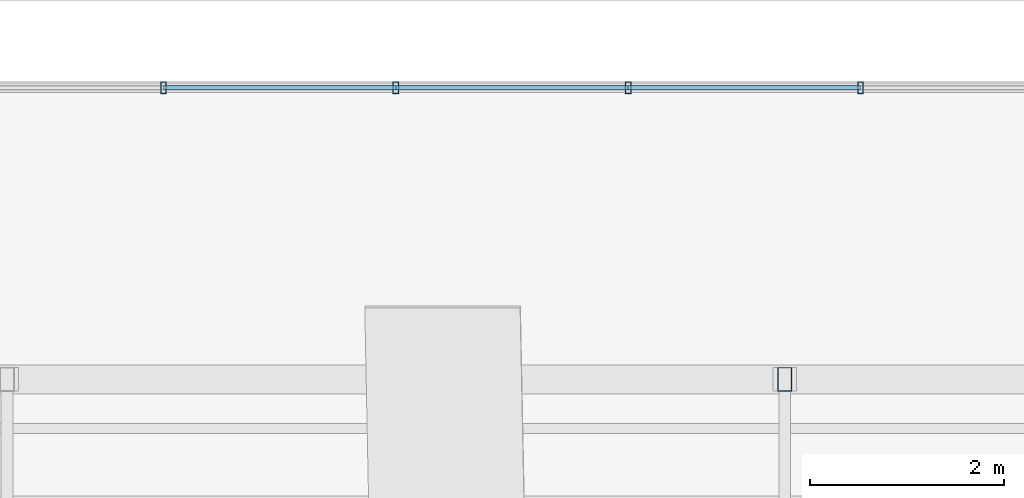
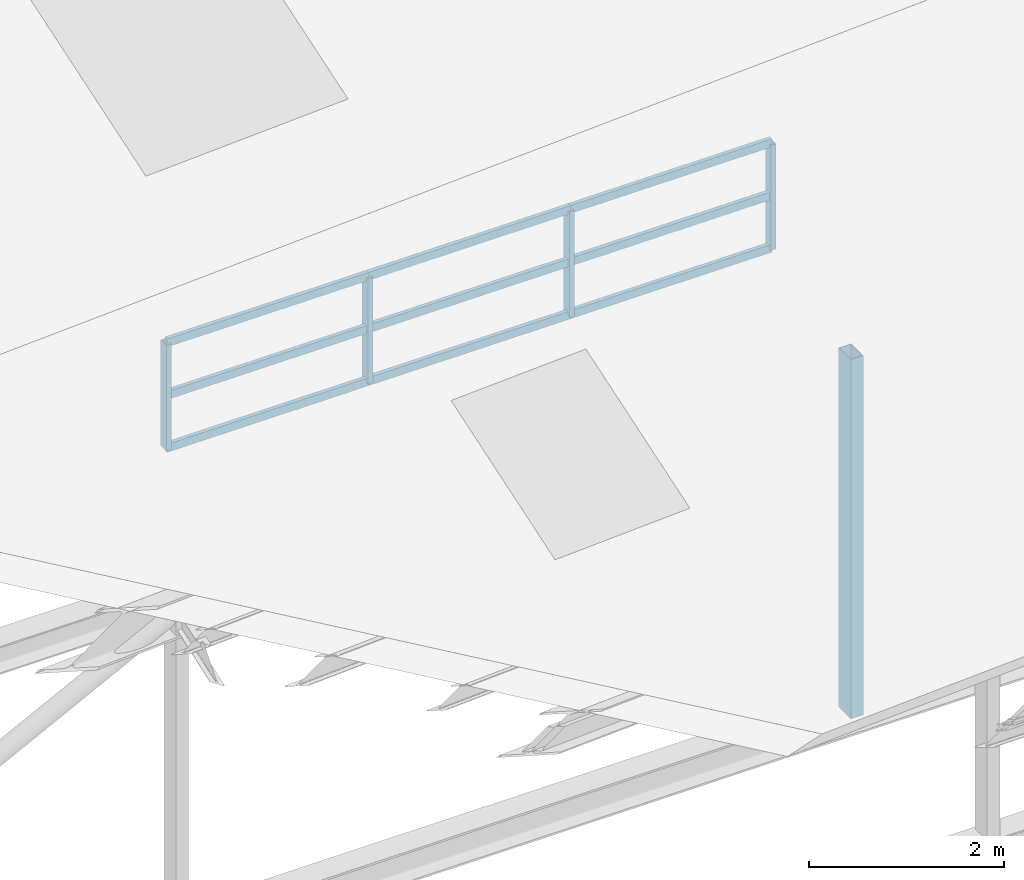
# One storey, part 41 of 141: 14 members, 1 element without a shape of its own.
"""IFC4 building model written with IfcOpenShell, lengths in metres."""

import ifcopenshell
import ifcopenshell.guid

model = None  # the IFC model being written
_history = None  # IfcOwnerHistory: only IFC2X3 demands one
_inside = {}  # id of a spatial element -> (the spatial element, [elements in it])
_under = {}  # id of a project, library or spatial element -> (it, [spatial elements below it])
_declared = {}  # id of a project -> (the project, [libraries it declares])
_typed = {}  # id of a type object -> (the type object, [elements of that type])
_made_of = {}  # id of a material, layer set ... -> (it, [elements and type objects made of it])


def new_model(schema):
    """Start an empty IFC model of exactly this schema.

    Asked for "IFC4X3", IfcOpenShell would pick the latest addendum, in which some entities
    have other attributes; the version numbers below select the first issue.
    IFC2X3 requires an IfcOwnerHistory on every rooted entity: one is made here for all.
    """
    global model, _history
    if schema == "IFC4X3":
        model = ifcopenshell.file(schema_version=(4, 3, 0, 0))
    else:
        model = ifcopenshell.file(schema=schema)
    _inside.clear()
    _under.clear()
    _declared.clear()
    _typed.clear()
    _made_of.clear()
    _history = None
    if model.schema == "IFC2X3":
        org = make("IfcOrganization", Name="unknown")
        user = make(
            "IfcPersonAndOrganization",
            ThePerson=make("IfcPerson", FamilyName="unknown"),
            TheOrganization=org,
        )
        app = make(
            "IfcApplication",
            ApplicationDeveloper=org,
            Version="unknown",
            ApplicationFullName="unknown",
            ApplicationIdentifier="unknown",
        )
        _history = make(
            "IfcOwnerHistory",
            OwningUser=user,
            OwningApplication=app,
            ChangeAction="ADDED",
            CreationDate=0,
        )
    return model


def make(cls, **values):
    """One entity of the class cls with the attributes given. An attribute that is None is left unset."""
    return model.create_entity(
        cls, **{name: value for name, value in values.items() if value is not None}
    )


def rooted(cls, **values):
    """An entity with a GlobalId (a new one), such as an element, a storey or a relation."""
    return make(cls, GlobalId=ifcopenshell.guid.new(), OwnerHistory=_history, **values)


def si_unit(unit_type, name, prefix=None):
    """IfcSIUnit, for example si_unit("LENGTHUNIT", "METRE", prefix="MILLI")."""
    return make("IfcSIUnit", UnitType=unit_type, Prefix=prefix, Name=name)


def assignment(units):
    """IfcUnitAssignment: the units of a project."""
    return None if units is None else make("IfcUnitAssignment", Units=units)


def point(xyz):
    """IfcCartesianPoint."""
    return None if xyz is None else make("IfcCartesianPoint", Coordinates=xyz)


def direction(xyz):
    """IfcDirection."""
    return None if xyz is None else make("IfcDirection", DirectionRatios=xyz)


def frame(location, z_axis=None, x_axis=None):
    """IfcAxis2Placement3D, a coordinate frame: its origin and axes. An axis left out is left unset."""
    return make(
        "IfcAxis2Placement3D",
        Location=point(location),
        Axis=direction(z_axis),
        RefDirection=direction(x_axis),
    )


def frame_2d(location, x_axis=None):
    """IfcAxis2Placement2D, a coordinate frame in the plane: its origin and x axis."""
    return make(
        "IfcAxis2Placement2D", Location=point(location), RefDirection=direction(x_axis)
    )


def origin():
    """The frame at (0, 0, 0) with its axes left unset."""
    return frame((0.0, 0.0, 0.0))


def origin_2d():
    """The frame at (0, 0) in the plane with its x axis left unset."""
    return frame_2d((0.0, 0.0))


def place(relative_to, where):
    """IfcLocalPlacement: puts the frame where relative to a parent placement (None: the world)."""
    return make(
        "IfcLocalPlacement", PlacementRelTo=relative_to, RelativePlacement=where
    )


def context(
    kind, dimensions, precision=None, world=None, true_north=None, identifier=None
):
    """IfcGeometricRepresentationContext, for example the 3D "Model" context."""
    return make(
        "IfcGeometricRepresentationContext",
        ContextIdentifier=identifier,
        ContextType=kind,
        CoordinateSpaceDimension=dimensions,
        Precision=precision,
        WorldCoordinateSystem=world,
        TrueNorth=true_north,
    )


def subcontext(parent, identifier, kind, view, scale=None):
    """IfcGeometricRepresentationSubContext, for example "Body" below "Model"."""
    return make(
        "IfcGeometricRepresentationSubContext",
        ContextIdentifier=identifier,
        ContextType=kind,
        ParentContext=parent,
        TargetScale=scale,
        TargetView=view,
    )


def project(units=None, contexts=None):
    """IfcProject with its units and contexts."""
    return rooted(
        "IfcProject",
        Name="project",
        RepresentationContexts=contexts,
        UnitsInContext=assignment(units),
    )


def spatial(cls, under=None, at=None, **own):
    """A site, building, storey or space (cls), placed at a placement, below another one or the project."""
    s = rooted(cls, ObjectPlacement=at, **own)
    if under is not None:
        _under.setdefault(under.id(), (under, []))[1].append(s)
    return s


def profile(cls, at=None, kind="AREA", **sizes):
    """A parametric profile (cls). Its sizes go by their IFC names, for example OverallWidth=200.0."""
    return make(cls, ProfileType=kind, Position=at, **sizes)


def hollow_rectangle(**sizes):
    """IfcRectangleHollowProfileDef."""
    return profile("IfcRectangleHollowProfileDef", **sizes)


def extrude(swept, where, along, depth):
    """IfcExtrudedAreaSolid: the profile swept, set in the frame where, extruded along a direction by depth."""
    return make(
        "IfcExtrudedAreaSolid",
        SweptArea=swept,
        Position=where,
        ExtrudedDirection=direction(along),
        Depth=depth,
    )


def shape(context_of_items, identifier, shape_type, items):
    """IfcShapeRepresentation: the items that make up one representation, for example the "Body"."""
    return make(
        "IfcShapeRepresentation",
        ContextOfItems=context_of_items,
        RepresentationIdentifier=identifier,
        RepresentationType=shape_type,
        Items=items,
    )


def material(Name=None, Category=None):
    """IfcMaterial."""
    return make("IfcMaterial", Name=Name, Category=Category)


def material_profile(
    of_material, cross_section, Name=None, Category=None, Priority=None
):
    """IfcMaterialProfile: a cross section and its material."""
    return make(
        "IfcMaterialProfile",
        Name=Name,
        Material=of_material,
        Profile=cross_section,
        Priority=Priority,
        Category=Category,
    )


def profile_set(profiles, Name=None, composite=None):
    """IfcMaterialProfileSet."""
    return make(
        "IfcMaterialProfileSet",
        Name=Name,
        MaterialProfiles=profiles,
        CompositeProfile=composite,
    )


def made_of(thing, what):
    """Note that an element or type object is made of a material, layer set ...; save() writes the relation."""
    if what is not None:
        _made_of.setdefault(what.id(), (what, []))[1].append(thing)
    return thing


def type_object(cls, material=None, **own):
    """A type object (cls), such as IfcWallType, which elements share."""
    return made_of(rooted(cls, **own), material)


def element(
    cls,
    number,
    at=None,
    inside=None,
    cuts=None,
    type_object=None,
    material=None,
    context=None,
    identifier="Body",
    shape_type=None,
    held_by="IfcProductDefinitionShape",
    body=None,
    shapes=None,
    **own,
):
    """One element of the class cls, such as IfcWall. Its Tag is "e" and its number.

    at: its placement. inside: the storey or other place that contains it. cuts: it is an
    opening in that element (IfcRelVoidsElement). A single representation is given by context,
    identifier, shape_type and body (its items); several are given by shapes. held_by: the class
    of the entity that holds the representations. save() writes the other relations.
    """
    e = rooted(cls, Tag="e%d" % number, ObjectPlacement=at, **own)
    if body is not None:
        shapes = [shape(context, identifier, shape_type, body)]
    if shapes is not None:
        e.Representation = make(held_by, Representations=shapes)
    if inside is not None:
        _inside.setdefault(inside.id(), (inside, []))[1].append(e)
    if cuts is not None:
        rooted(
            "IfcRelVoidsElement", RelatingBuildingElement=cuts, RelatedOpeningElement=e
        )
    if type_object is not None:
        _typed.setdefault(type_object.id(), (type_object, []))[1].append(e)
    return made_of(e, material)


def aggregate(whole, parts):
    """IfcRelAggregates: a whole, such as a stair, and the parts it consists of."""
    return rooted("IfcRelAggregates", RelatingObject=whole, RelatedObjects=parts)


def save(model, path):
    """Write the relations noted so far, then the file.

    IfcRelAggregates (storeys below a building ...), IfcRelContainedInSpatialStructure (elements
    in a storey), IfcRelDefinesByType, IfcRelAssociatesMaterial and IfcRelDeclares: one each for
    every whole, place, type object, material and project.
    """
    for whole, parts in _under.values():
        aggregate(whole, parts)
    for where, things in _inside.values():
        rooted(
            "IfcRelContainedInSpatialStructure",
            RelatedElements=things,
            RelatingStructure=where,
        )
    for kind, things in _typed.values():
        rooted("IfcRelDefinesByType", RelatedObjects=things, RelatingType=kind)
    for what, things in _made_of.values():
        rooted("IfcRelAssociatesMaterial", RelatedObjects=things, RelatingMaterial=what)
    for by, libraries in _declared.values():
        rooted("IfcRelDeclares", RelatingContext=by, RelatedDefinitions=libraries)
    model.write(path)


model = new_model("IFC4")

# Units and contexts
model_context = context("Model", 3, precision=1e-05, world=origin(), true_north=direction((0.0, 1.0)))
body_context = subcontext(model_context, "Body", "Model", "MODEL_VIEW")
ifc_project = project(units=[si_unit("LENGTHUNIT", "METRE"), si_unit("AREAUNIT", "SQUARE_METRE"), si_unit("VOLUMEUNIT", "CUBIC_METRE"), si_unit("PLANEANGLEUNIT", "RADIAN"), si_unit("MASSUNIT", "GRAM", prefix="KILO")], contexts=[model_context])

# Site, building, storey
site_placement = place(None, origin())
site = spatial("IfcSite", under=ifc_project, at=site_placement, CompositionType="ELEMENT")
building_placement = place(site_placement, origin())
building = spatial("IfcBuilding", under=site, at=building_placement, Name="Sundkrona Museum", CompositionType="ELEMENT")
storey_placement = place(building_placement, frame((0.0, 0.0, 34.0)))
storey = spatial("IfcBuildingStorey", under=building, at=storey_placement, Name="RF", CompositionType="ELEMENT", Elevation=34.0)

# Curtain wall, members
ifc_material_1 = material(Name="Unitised Aluminium-Steel and Ceramic-Clad Curtain Walling", Category="steel")
curtain_wall_type = type_object("IfcCurtainWallType", Name="CW-SW-240x13", PredefinedType="NOTDEFINED", material=ifc_material_1)
curtain_wall_placement = place(storey_placement, origin())
curtain_wall = element("IfcCurtainWall", 1, at=curtain_wall_placement, inside=storey, type_object=curtain_wall_type, Name="Sawtooth Bay 4 West North-Light Clerestory", PredefinedType="NOTDEFINED")
ifc_material_2 = material(Name="Aluminium EN AW-6060 T66", Category="aluminium")
ifc_material_profile_1 = material_profile(ifc_material_2, hollow_rectangle(XDim=0.06005859375, YDim=0.1201171875, WallThickness=0.0048828125, at=origin_2d()), Name="RHS 120x60x5.0")
ifc_profile_set_1 = profile_set([ifc_material_profile_1], Name="Aluminium EN AW-6060 T66")
member_type_1 = type_object("IfcMemberType", Name="ML-120", PredefinedType="MULLION", material=ifc_profile_set_1)
member_1_placement = place(storey_placement, frame((129.610107421875, 26.5, 3.472900390625), z_axis=(0.0, 0.0, 1.0), x_axis=(1.0, 0.0, 0.0)))
member_1 = element("IfcMember", 2, at=member_1_placement, type_object=member_type_1, Name="CW-RF-SAW-04W Mullion 05", PredefinedType="MULLION", context=body_context, shape_type="SweptSolid", body=[
    extrude(hollow_rectangle(XDim=0.06005859375, YDim=0.1201171875, WallThickness=0.0048828125, at=origin_2d()), origin(), (0.0, 0.0, 1.0), 1.320068359375),
])
member_2_placement = place(storey_placement, frame((132.0, 26.5, 3.472900390625), z_axis=(0.0, 0.0, 1.0), x_axis=(1.0, 0.0, 0.0)))
member_2 = element("IfcMember", 3, at=member_2_placement, type_object=member_type_1, Name="CW-RF-SAW-04W Mullion 06", PredefinedType="MULLION", context=body_context, shape_type="SweptSolid", body=[
    extrude(hollow_rectangle(XDim=0.06005859375, YDim=0.1201171875, WallThickness=0.0048828125, at=origin_2d()), origin(), (0.0, 0.0, 1.0), 1.320068359375),
])
member_3_placement = place(storey_placement, frame((134.389892578125, 26.5, 3.472900390625), z_axis=(0.0, 0.0, 1.0), x_axis=(1.0, 0.0, 0.0)))
member_3 = element("IfcMember", 4, at=member_3_placement, type_object=member_type_1, Name="CW-RF-SAW-04W Mullion 07", PredefinedType="MULLION", context=body_context, shape_type="SweptSolid", body=[
    extrude(hollow_rectangle(XDim=0.06005859375, YDim=0.1201171875, WallThickness=0.0048828125, at=origin_2d()), origin(), (0.0, 0.0, 1.0), 1.320068359375),
])
member_4_placement = place(storey_placement, frame((136.780029296875, 26.5, 3.472900390625), z_axis=(0.0, 0.0, 1.0), x_axis=(1.0, 0.0, 0.0)))
member_4 = element("IfcMember", 5, at=member_4_placement, type_object=member_type_1, Name="CW-RF-SAW-04W Mullion 08", PredefinedType="MULLION", context=body_context, shape_type="SweptSolid", body=[
    extrude(hollow_rectangle(XDim=0.06005859375, YDim=0.1201171875, WallThickness=0.0048828125, at=origin_2d()), origin(), (0.0, 0.0, 1.0), 1.320068359375),
])

# Member
ifc_material_3 = material(Name="Steel S355J2", Category="steel")
ifc_material_profile_2 = material_profile(ifc_material_3, hollow_rectangle(XDim=0.14990234375, YDim=0.25, WallThickness=0.010009765625, at=origin_2d()), Name="RHS 250x150x10.0")
ifc_profile_set_2 = profile_set([ifc_material_profile_2], Name="Steel S355J2")
member_type_2 = type_object("IfcMemberType", Name="ST-RHS250", PredefinedType="STRUT", material=ifc_profile_set_2)
member_5_placement = place(storey_placement, frame((136.0, 23.5, -0.25), z_axis=(0.0, 0.0, 1.0), x_axis=(1.0, 0.0, 0.0)))
element("IfcMember", 6, at=member_5_placement, inside=storey, type_object=member_type_2, Name="RFS-1 Sawtooth Truss 4 Vertical Post 3", PredefinedType="STRUT", context=body_context, shape_type="SweptSolid", body=[
    extrude(hollow_rectangle(XDim=0.14990234375, YDim=0.25, WallThickness=0.010009765625, at=origin_2d()), origin(), (0.0, 0.0, 1.0), 4.5029296875),
])

ifc_material_profile_3 = material_profile(ifc_material_2, hollow_rectangle(XDim=0.050048828125, YDim=0.10009765625, WallThickness=0.0048828125, at=origin_2d()), Name="RHS 100x50x5.0")
ifc_profile_set_3 = profile_set([ifc_material_profile_3], Name="Aluminium EN AW-6060 T66")
member_type_3 = type_object("IfcMemberType", Name="TR-100", PredefinedType="USERDEFINED", material=ifc_profile_set_3)
member_6_placement = place(storey_placement, frame((129.610107421875, 26.5, 3.472900390625), z_axis=(1.0, 0.0, 0.0), x_axis=(0.0, 1.0, 0.0)))
member_6 = element("IfcMember", 7, at=member_6_placement, type_object=member_type_3, Name="CW-RF-SAW-04W Transom 13", ObjectType="TRANSOM", PredefinedType="USERDEFINED", context=body_context, shape_type="SweptSolid", body=[
    extrude(hollow_rectangle(XDim=0.050048828125, YDim=0.10009765625, WallThickness=0.0048828125, at=origin_2d()), origin(), (0.0, 0.0, 1.0), 2.389892578125),
])

member_7_placement = place(storey_placement, frame((129.610107421875, 26.5, 4.133056640625), z_axis=(1.0, 0.0, 0.0), x_axis=(0.0, 1.0, 0.0)))
member_7 = element("IfcMember", 8, at=member_7_placement, type_object=member_type_3, Name="CW-RF-SAW-04W Transom 14", ObjectType="TRANSOM", PredefinedType="USERDEFINED", context=body_context, shape_type="SweptSolid", body=[
    extrude(hollow_rectangle(XDim=0.050048828125, YDim=0.10009765625, WallThickness=0.0048828125, at=origin_2d()), origin(), (0.0, 0.0, 1.0), 2.389892578125),
])

member_8_placement = place(storey_placement, frame((129.610107421875, 26.5, 4.79296875), z_axis=(1.0, 0.0, 0.0), x_axis=(0.0, 1.0, 0.0)))
member_8 = element("IfcMember", 9, at=member_8_placement, type_object=member_type_3, Name="CW-RF-SAW-04W Transom 15", ObjectType="TRANSOM", PredefinedType="USERDEFINED", context=body_context, shape_type="SweptSolid", body=[
    extrude(hollow_rectangle(XDim=0.050048828125, YDim=0.10009765625, WallThickness=0.0048828125, at=origin_2d()), origin(), (0.0, 0.0, 1.0), 2.389892578125),
])

member_9_placement = place(storey_placement, frame((132.0, 26.5, 3.472900390625), z_axis=(1.0, 0.0, 0.0), x_axis=(0.0, 1.0, 0.0)))
member_9 = element("IfcMember", 10, at=member_9_placement, type_object=member_type_3, Name="CW-RF-SAW-04W Transom 16", ObjectType="TRANSOM", PredefinedType="USERDEFINED", context=body_context, shape_type="SweptSolid", body=[
    extrude(hollow_rectangle(XDim=0.050048828125, YDim=0.10009765625, WallThickness=0.0048828125, at=origin_2d()), origin(), (0.0, 0.0, 1.0), 2.389892578125),
])

member_10_placement = place(storey_placement, frame((132.0, 26.5, 4.133056640625), z_axis=(1.0, 0.0, 0.0), x_axis=(0.0, 1.0, 0.0)))
member_10 = element("IfcMember", 11, at=member_10_placement, type_object=member_type_3, Name="CW-RF-SAW-04W Transom 17", ObjectType="TRANSOM", PredefinedType="USERDEFINED", context=body_context, shape_type="SweptSolid", body=[
    extrude(hollow_rectangle(XDim=0.050048828125, YDim=0.10009765625, WallThickness=0.0048828125, at=origin_2d()), origin(), (0.0, 0.0, 1.0), 2.389892578125),
])

member_11_placement = place(storey_placement, frame((132.0, 26.5, 4.79296875), z_axis=(1.0, 0.0, 0.0), x_axis=(0.0, 1.0, 0.0)))
member_11 = element("IfcMember", 12, at=member_11_placement, type_object=member_type_3, Name="CW-RF-SAW-04W Transom 18", ObjectType="TRANSOM", PredefinedType="USERDEFINED", context=body_context, shape_type="SweptSolid", body=[
    extrude(hollow_rectangle(XDim=0.050048828125, YDim=0.10009765625, WallThickness=0.0048828125, at=origin_2d()), origin(), (0.0, 0.0, 1.0), 2.389892578125),
])

member_12_placement = place(storey_placement, frame((134.389892578125, 26.5, 3.472900390625), z_axis=(1.0, 0.0, 0.0), x_axis=(0.0, 1.0, 0.0)))
member_12 = element("IfcMember", 13, at=member_12_placement, type_object=member_type_3, Name="CW-RF-SAW-04W Transom 19", ObjectType="TRANSOM", PredefinedType="USERDEFINED", context=body_context, shape_type="SweptSolid", body=[
    extrude(hollow_rectangle(XDim=0.050048828125, YDim=0.10009765625, WallThickness=0.0048828125, at=origin_2d()), origin(), (0.0, 0.0, 1.0), 2.39013671875),
])

member_13_placement = place(storey_placement, frame((134.389892578125, 26.5, 4.133056640625), z_axis=(1.0, 0.0, 0.0), x_axis=(0.0, 1.0, 0.0)))
member_13 = element("IfcMember", 14, at=member_13_placement, type_object=member_type_3, Name="CW-RF-SAW-04W Transom 20", ObjectType="TRANSOM", PredefinedType="USERDEFINED", context=body_context, shape_type="SweptSolid", body=[
    extrude(hollow_rectangle(XDim=0.050048828125, YDim=0.10009765625, WallThickness=0.0048828125, at=origin_2d()), origin(), (0.0, 0.0, 1.0), 2.39013671875),
])

member_14_placement = place(storey_placement, frame((134.389892578125, 26.5, 4.79296875), z_axis=(1.0, 0.0, 0.0), x_axis=(0.0, 1.0, 0.0)))
member_14 = element("IfcMember", 15, at=member_14_placement, type_object=member_type_3, Name="CW-RF-SAW-04W Transom 21", ObjectType="TRANSOM", PredefinedType="USERDEFINED", context=body_context, shape_type="SweptSolid", body=[
    extrude(hollow_rectangle(XDim=0.050048828125, YDim=0.10009765625, WallThickness=0.0048828125, at=origin_2d()), origin(), (0.0, 0.0, 1.0), 2.39013671875),
])

aggregate(curtain_wall, [member_1, member_2, member_3, member_4, member_6, member_7, member_8, member_9, member_10, member_11, member_12, member_13, member_14])

save(model, "model.ifc")
